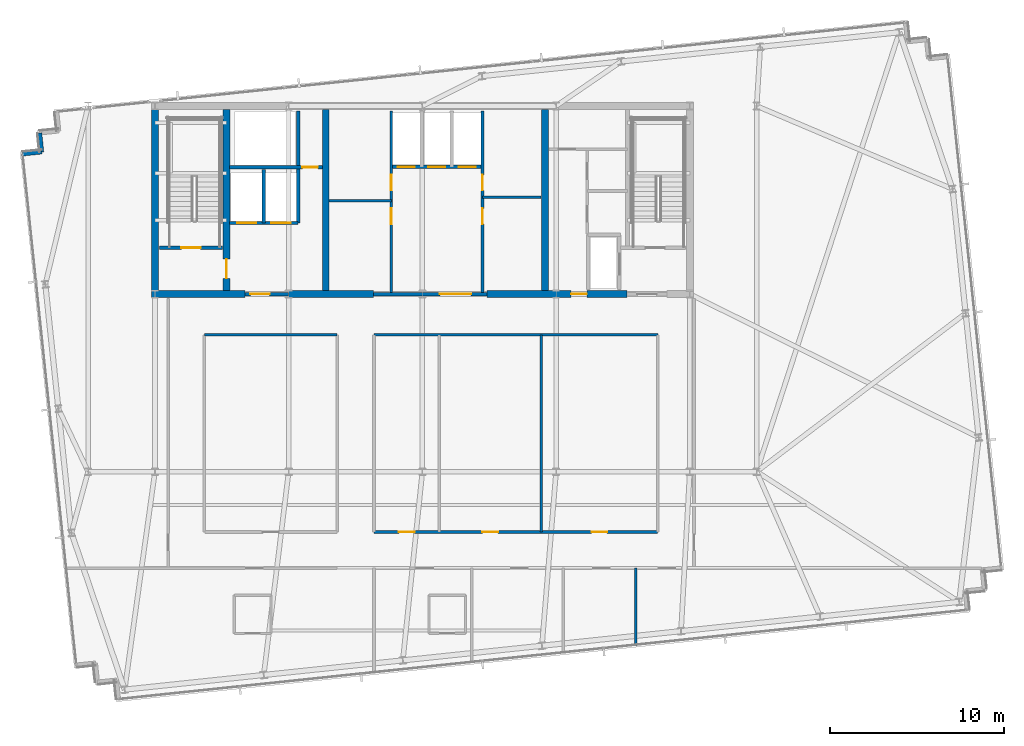
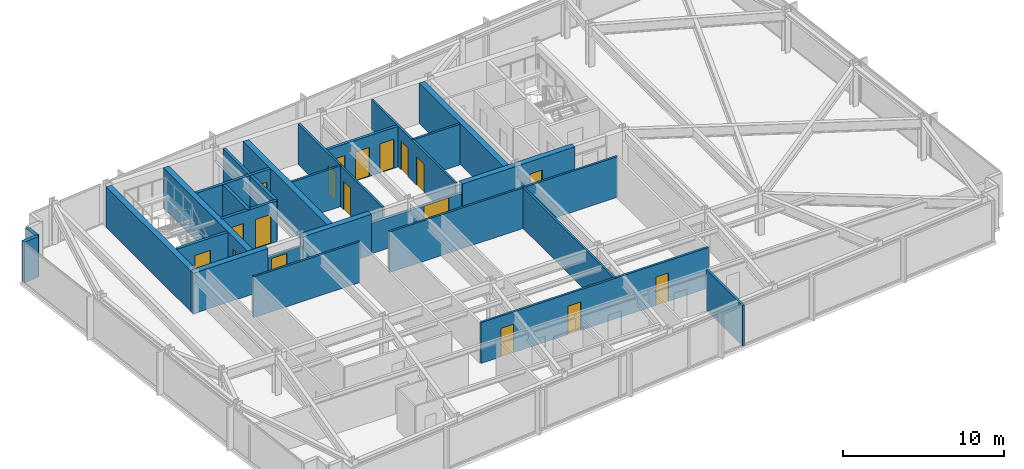
# One storey, part 27 of 32: 26 walls, 18 doors, 18 openings.
"""IFC4 building model written with IfcOpenShell, lengths in metres."""

import ifcopenshell
import ifcopenshell.guid

model = None  # the IFC model being written
_history = None  # IfcOwnerHistory: only IFC2X3 demands one
_inside = {}  # id of a spatial element -> (the spatial element, [elements in it])
_under = {}  # id of a project, library or spatial element -> (it, [spatial elements below it])
_declared = {}  # id of a project -> (the project, [libraries it declares])
_typed = {}  # id of a type object -> (the type object, [elements of that type])
_made_of = {}  # id of a material, layer set ... -> (it, [elements and type objects made of it])


def new_model(schema):
    """Start an empty IFC model of exactly this schema.

    Asked for "IFC4X3", IfcOpenShell would pick the latest addendum, in which some entities
    have other attributes; the version numbers below select the first issue.
    IFC2X3 requires an IfcOwnerHistory on every rooted entity: one is made here for all.
    """
    global model, _history
    if schema == "IFC4X3":
        model = ifcopenshell.file(schema_version=(4, 3, 0, 0))
    else:
        model = ifcopenshell.file(schema=schema)
    _inside.clear()
    _under.clear()
    _declared.clear()
    _typed.clear()
    _made_of.clear()
    _history = None
    if model.schema == "IFC2X3":
        org = make("IfcOrganization", Name="unknown")
        user = make(
            "IfcPersonAndOrganization",
            ThePerson=make("IfcPerson", FamilyName="unknown"),
            TheOrganization=org,
        )
        app = make(
            "IfcApplication",
            ApplicationDeveloper=org,
            Version="unknown",
            ApplicationFullName="unknown",
            ApplicationIdentifier="unknown",
        )
        _history = make(
            "IfcOwnerHistory",
            OwningUser=user,
            OwningApplication=app,
            ChangeAction="ADDED",
            CreationDate=0,
        )
    return model


def make(cls, **values):
    """One entity of the class cls with the attributes given. An attribute that is None is left unset."""
    return model.create_entity(
        cls, **{name: value for name, value in values.items() if value is not None}
    )


def rooted(cls, **values):
    """An entity with a GlobalId (a new one), such as an element, a storey or a relation."""
    return make(cls, GlobalId=ifcopenshell.guid.new(), OwnerHistory=_history, **values)


def si_unit(unit_type, name, prefix=None):
    """IfcSIUnit, for example si_unit("LENGTHUNIT", "METRE", prefix="MILLI")."""
    return make("IfcSIUnit", UnitType=unit_type, Prefix=prefix, Name=name)


def assignment(units):
    """IfcUnitAssignment: the units of a project."""
    return None if units is None else make("IfcUnitAssignment", Units=units)


def point(xyz):
    """IfcCartesianPoint."""
    return None if xyz is None else make("IfcCartesianPoint", Coordinates=xyz)


def direction(xyz):
    """IfcDirection."""
    return None if xyz is None else make("IfcDirection", DirectionRatios=xyz)


def frame(location, z_axis=None, x_axis=None):
    """IfcAxis2Placement3D, a coordinate frame: its origin and axes. An axis left out is left unset."""
    return make(
        "IfcAxis2Placement3D",
        Location=point(location),
        Axis=direction(z_axis),
        RefDirection=direction(x_axis),
    )


def frame_2d(location, x_axis=None):
    """IfcAxis2Placement2D, a coordinate frame in the plane: its origin and x axis."""
    return make(
        "IfcAxis2Placement2D", Location=point(location), RefDirection=direction(x_axis)
    )


def origin():
    """The frame at (0, 0, 0) with its axes left unset."""
    return frame((0.0, 0.0, 0.0))


def place(relative_to, where):
    """IfcLocalPlacement: puts the frame where relative to a parent placement (None: the world)."""
    return make(
        "IfcLocalPlacement", PlacementRelTo=relative_to, RelativePlacement=where
    )


def context(
    kind, dimensions, precision=None, world=None, true_north=None, identifier=None
):
    """IfcGeometricRepresentationContext, for example the 3D "Model" context."""
    return make(
        "IfcGeometricRepresentationContext",
        ContextIdentifier=identifier,
        ContextType=kind,
        CoordinateSpaceDimension=dimensions,
        Precision=precision,
        WorldCoordinateSystem=world,
        TrueNorth=true_north,
    )


def subcontext(parent, identifier, kind, view, scale=None):
    """IfcGeometricRepresentationSubContext, for example "Body" below "Model"."""
    return make(
        "IfcGeometricRepresentationSubContext",
        ContextIdentifier=identifier,
        ContextType=kind,
        ParentContext=parent,
        TargetScale=scale,
        TargetView=view,
    )


def project(units=None, contexts=None):
    """IfcProject with its units and contexts."""
    return rooted(
        "IfcProject",
        Name="project",
        RepresentationContexts=contexts,
        UnitsInContext=assignment(units),
    )


def spatial(cls, under=None, at=None, **own):
    """A site, building, storey or space (cls), placed at a placement, below another one or the project."""
    s = rooted(cls, ObjectPlacement=at, **own)
    if under is not None:
        _under.setdefault(under.id(), (under, []))[1].append(s)
    return s


def profile(cls, at=None, kind="AREA", **sizes):
    """A parametric profile (cls). Its sizes go by their IFC names, for example OverallWidth=200.0."""
    return make(cls, ProfileType=kind, Position=at, **sizes)


def rectangle(**sizes):
    """IfcRectangleProfileDef."""
    return profile("IfcRectangleProfileDef", **sizes)


def extrude(swept, where, along, depth):
    """IfcExtrudedAreaSolid: the profile swept, set in the frame where, extruded along a direction by depth."""
    return make(
        "IfcExtrudedAreaSolid",
        SweptArea=swept,
        Position=where,
        ExtrudedDirection=direction(along),
        Depth=depth,
    )


def shape(context_of_items, identifier, shape_type, items):
    """IfcShapeRepresentation: the items that make up one representation, for example the "Body"."""
    return make(
        "IfcShapeRepresentation",
        ContextOfItems=context_of_items,
        RepresentationIdentifier=identifier,
        RepresentationType=shape_type,
        Items=items,
    )


def material(Name=None, Category=None):
    """IfcMaterial."""
    return make("IfcMaterial", Name=Name, Category=Category)


def layer(
    of_material, thickness, ventilated=None, Name=None, Category=None, Priority=None
):
    """IfcMaterialLayer: one layer of a wall or slab, of a material (None: an air gap)."""
    return make(
        "IfcMaterialLayer",
        Material=of_material,
        LayerThickness=thickness,
        IsVentilated=ventilated,
        Name=Name,
        Category=Category,
        Priority=Priority,
    )


def layer_set(layers, Name=None):
    """IfcMaterialLayerSet."""
    return make("IfcMaterialLayerSet", MaterialLayers=layers, LayerSetName=Name)


def made_of(thing, what):
    """Note that an element or type object is made of a material, layer set ...; save() writes the relation."""
    if what is not None:
        _made_of.setdefault(what.id(), (what, []))[1].append(thing)
    return thing


def type_object(cls, material=None, **own):
    """A type object (cls), such as IfcWallType, which elements share."""
    return made_of(rooted(cls, **own), material)


def element(
    cls,
    number,
    at=None,
    inside=None,
    cuts=None,
    type_object=None,
    material=None,
    context=None,
    identifier="Body",
    shape_type=None,
    held_by="IfcProductDefinitionShape",
    body=None,
    shapes=None,
    **own,
):
    """One element of the class cls, such as IfcWall. Its Tag is "e" and its number.

    at: its placement. inside: the storey or other place that contains it. cuts: it is an
    opening in that element (IfcRelVoidsElement). A single representation is given by context,
    identifier, shape_type and body (its items); several are given by shapes. held_by: the class
    of the entity that holds the representations. save() writes the other relations.
    """
    e = rooted(cls, Tag="e%d" % number, ObjectPlacement=at, **own)
    if body is not None:
        shapes = [shape(context, identifier, shape_type, body)]
    if shapes is not None:
        e.Representation = make(held_by, Representations=shapes)
    if inside is not None:
        _inside.setdefault(inside.id(), (inside, []))[1].append(e)
    if cuts is not None:
        rooted(
            "IfcRelVoidsElement", RelatingBuildingElement=cuts, RelatedOpeningElement=e
        )
    if type_object is not None:
        _typed.setdefault(type_object.id(), (type_object, []))[1].append(e)
    return made_of(e, material)


def fill(opening, filler):
    """IfcRelFillsElement: the door or window that sits in an opening."""
    return rooted(
        "IfcRelFillsElement",
        RelatingOpeningElement=opening,
        RelatedBuildingElement=filler,
    )


def aggregate(whole, parts):
    """IfcRelAggregates: a whole, such as a stair, and the parts it consists of."""
    return rooted("IfcRelAggregates", RelatingObject=whole, RelatedObjects=parts)


def save(model, path):
    """Write the relations noted so far, then the file.

    IfcRelAggregates (storeys below a building ...), IfcRelContainedInSpatialStructure (elements
    in a storey), IfcRelDefinesByType, IfcRelAssociatesMaterial and IfcRelDeclares: one each for
    every whole, place, type object, material and project.
    """
    for whole, parts in _under.values():
        aggregate(whole, parts)
    for where, things in _inside.values():
        rooted(
            "IfcRelContainedInSpatialStructure",
            RelatedElements=things,
            RelatingStructure=where,
        )
    for kind, things in _typed.values():
        rooted("IfcRelDefinesByType", RelatedObjects=things, RelatingType=kind)
    for what, things in _made_of.values():
        rooted("IfcRelAssociatesMaterial", RelatedObjects=things, RelatingMaterial=what)
    for by, libraries in _declared.values():
        rooted("IfcRelDeclares", RelatingContext=by, RelatedDefinitions=libraries)
    model.write(path)


model = new_model("IFC4")

# Units and contexts
model_context = context("Model", 3, precision=1e-05, world=origin(), true_north=direction((0.0, 1.0)))
body_context = subcontext(model_context, "Body", "Model", "MODEL_VIEW")
ifc_project = project(units=[si_unit("LENGTHUNIT", "METRE"), si_unit("AREAUNIT", "SQUARE_METRE"), si_unit("VOLUMEUNIT", "CUBIC_METRE"), si_unit("PLANEANGLEUNIT", "RADIAN"), si_unit("MASSUNIT", "GRAM", prefix="KILO")], contexts=[model_context])

# Site, building, storey
site_placement = place(None, origin())
site = spatial("IfcSite", under=ifc_project, at=site_placement, CompositionType="ELEMENT")
building_placement = place(site_placement, origin())
building = spatial("IfcBuilding", under=site, at=building_placement, Name="Yelkora Congress Tower", CompositionType="ELEMENT")
storey_placement = place(building_placement, frame((0.0, 0.0, 217.699951171875)))
storey = spatial("IfcBuildingStorey", under=building, at=storey_placement, Name="L60", CompositionType="ELEMENT", Elevation=217.699951171875)

# Walls
ifc_material_1 = material(Name="Concrete C50/60", Category="concrete")
ifc_layer_1 = layer(ifc_material_1, 0.39990234375)
ifc_layer_set_1 = layer_set([ifc_layer_1], Name="Concrete C50/60")
wall_type_1 = type_object("IfcWallType", Name="WALL-CORE-INT-400", PredefinedType="SHEAR", material=ifc_layer_set_1)
wall_1_placement = place(storey_placement, frame((22.840087890625, 35.39990234375, 0.0), z_axis=(0.0, 0.0, 1.0), x_axis=(1.0, 0.0, 0.0)))
element("IfcWall", 1, at=wall_1_placement, inside=storey, type_object=wall_type_1, Name="L60 Rear Core South-West Shear Wall", PredefinedType="SHEAR", context=body_context, shape_type="SweptSolid", body=[
    extrude(rectangle(XDim=5.35986328125, YDim=0.39990234375, at=frame_2d((2.679931640625, 0.0))), origin(), (0.0, 0.0, 1.0), 3.080078125),
])
wall_2_placement = place(storey_placement, frame((30.719970703125, 35.39990234375, 0.0), z_axis=(0.0, 0.0, 1.0), x_axis=(1.0, 0.0, 0.0)))
element("IfcWall", 2, at=wall_2_placement, inside=storey, type_object=wall_type_1, Name="L60 Rear Core South-Center Shear Pier", PredefinedType="SHEAR", context=body_context, shape_type="SweptSolid", body=[
    extrude(rectangle(XDim=4.880126953125, YDim=0.39990234375, at=frame_2d((2.43994140625, 0.0))), origin(), (0.0, 0.0, 1.0), 3.080078125),
])

# Wall, opening, door
wall_3_placement = place(storey_placement, frame((42.10009765625, 35.39990234375, 0.0), z_axis=(0.0, 0.0, 1.0), x_axis=(1.0, 0.0, 0.0)))
wall_3 = element("IfcWall", 3, at=wall_3_placement, inside=storey, type_object=wall_type_1, Name="L60 Rear Core South-East Shear Wall A", PredefinedType="SHEAR", context=body_context, shape_type="SweptSolid", body=[
    extrude(rectangle(XDim=8.0498046875, YDim=0.39990234375, at=frame_2d((4.02490234375, 0.0))), origin(), (0.0, 0.0, 1.0), 3.080078125),
])
opening_1_placement = place(wall_3_placement, frame((4.85009765625, 0.0, 0.0)))
opening_1 = element("IfcOpeningElement", 4, at=opening_1_placement, cuts=wall_3, Name="Opening DR-090F6", PredefinedType="OPENING", context=body_context, shape_type="SweptSolid", body=[
    extrude(rectangle(XDim=0.89990234375, YDim=2.14990234375, at=frame_2d((0.449951171875, 1.074951171875))), frame((0.0, 0.2099609375, 0.0), z_axis=(0.0, -1.0, 0.0), x_axis=(1.0, 0.0, 0.0)), (0.0, 0.0, 1.0), 0.419921875),
])
ifc_material_2 = material(Name="Painted steel riser fire door leaf", Category="steel")
door_type_1 = type_object("IfcDoorType", Name="DOOR-FD60-900", OperationType="NOTDEFINED", PredefinedType="DOOR", material=ifc_material_2)
door_1_placement = place(opening_1_placement, origin())
door_1 = element("IfcDoor", 5, at=door_1_placement, inside=storey, type_object=door_type_1, Name="L60 Core Washroom Lobby Door", OperationType="SINGLE_SWING_RIGHT", OverallHeight=2.14990234375, OverallWidth=0.89990234375, PredefinedType="DOOR", context=body_context, shape_type="SweptSolid", body=[
    extrude(rectangle(XDim=0.89990234375, YDim=2.14990234375, at=frame_2d((0.449951171875, 1.074951171875))), frame((0.0, 0.02490234375, 0.0), z_axis=(0.0, -1.0, 0.0), x_axis=(1.0, 0.0, 0.0)), (0.0, 0.0, 1.0), 0.050048828125),
])
fill(opening_1, door_1)

# Wall
wall_4_placement = place(storey_placement, frame((23.0400390625, 35.60009765625, 0.0), z_axis=(0.0, 0.0, 1.0), x_axis=(0.0, 1.0, 0.0)))
element("IfcWall", 6, at=wall_4_placement, inside=storey, type_object=wall_type_1, Name="L60 Rear Core Cross Shear Wall W", PredefinedType="SHEAR", context=body_context, shape_type="SweptSolid", body=[
    extrude(rectangle(XDim=10.39990234375, YDim=0.39990234375, at=frame_2d((5.199951171875, 0.0))), origin(), (0.0, 0.0, 1.0), 3.080078125),
])

# Wall, opening, door
wall_5_placement = place(storey_placement, frame((27.14990234375, 35.60009765625, 0.0), z_axis=(0.0, 0.0, 1.0), x_axis=(0.0, 1.0, 0.0)))
wall_5 = element("IfcWall", 7, at=wall_5_placement, inside=storey, type_object=wall_type_1, Name="L60 Rear Core Cross Shear Wall C1", PredefinedType="SHEAR", context=body_context, shape_type="SweptSolid", body=[
    extrude(rectangle(XDim=10.39990234375, YDim=0.39990234375, at=frame_2d((5.199951171875, 0.0))), origin(), (0.0, 0.0, 1.0), 3.080078125),
])
opening_2_placement = place(wall_5_placement, frame((0.699951171875, 0.0, 0.0)))
opening_2 = element("IfcOpeningElement", 8, at=opening_2_placement, cuts=wall_5, Name="Opening DR-110F9", PredefinedType="OPENING", context=body_context, shape_type="SweptSolid", body=[
    extrude(rectangle(XDim=1.10009765625, YDim=2.14990234375, at=frame_2d((0.550048828125, 1.074951171875))), frame((0.0, 0.2099609375, 0.0), z_axis=(0.0, -1.0, 0.0), x_axis=(1.0, 0.0, 0.0)), (0.0, 0.0, 1.0), 0.419921875),
])
ifc_material_3 = material(Name="Galvanised steel fire door leaf", Category="steel")
door_type_2 = type_object("IfcDoorType", Name="DOOR-FD90-1100", OperationType="NOTDEFINED", PredefinedType="DOOR", material=ifc_material_3)
door_2_placement = place(opening_2_placement, origin())
door_2 = element("IfcDoor", 9, at=door_2_placement, inside=storey, type_object=door_type_2, Name="L60 Firefighting Stair Transfer Door", OperationType="SINGLE_SWING_LEFT", OverallHeight=2.14990234375, OverallWidth=1.10009765625, PredefinedType="DOOR", context=body_context, shape_type="SweptSolid", body=[
    extrude(rectangle(XDim=1.10009765625, YDim=2.14990234375, at=frame_2d((0.550048828125, 1.074951171875))), frame((0.0, 0.02490234375, 0.0), z_axis=(0.0, -1.0, 0.0), x_axis=(1.0, 0.0, 0.0)), (0.0, 0.0, 1.0), 0.050048828125),
])
fill(opening_2, door_2)

# Walls
for number, where, z_axis, x_axis, name in (
    (10, (32.85009765625, 35.60009765625, 0.0), (0.0, 0.0, 1.0), (0.0, 1.0, 0.0), "L60 Rear Core Cross Shear Wall C2"),
    (11, (45.449951171875, 35.60009765625, 0.0), (0.0, 0.0, 1.0), (0.0, 1.0, 0.0), "L60 Rear Core Cross Shear Wall C3"),
):
    element("IfcWall", number, at=place(storey_placement, frame(where, z_axis=z_axis, x_axis=x_axis)), inside=storey, type_object=wall_type_1, Name=name, PredefinedType="SHEAR", context=body_context, shape_type="SweptSolid", body=[
        extrude(rectangle(XDim=10.39990234375, YDim=0.39990234375, at=frame_2d((5.199951171875, 0.0))), origin(), (0.0, 0.0, 1.0), 3.080078125),
    ])
ifc_material_4 = material(Name="Concrete C40/50", Category="concrete")
ifc_layer_2 = layer(ifc_material_4, 0.239990234375)
ifc_layer_set_2 = layer_set([ifc_layer_2], Name="Concrete C40/50")
wall_type_2 = type_object("IfcWallType", Name="WALL-EXT-LIMESTONE-240", PredefinedType="SOLIDWALL", material=ifc_layer_set_2)
wall_6_placement = place(storey_placement, frame((15.441162109375, 43.444580078125, 0.0), z_axis=(0.0, 0.0, 1.0), x_axis=(0.994495717747, 0.104777227405, 0.0)))
element("IfcWall", 12, at=wall_6_placement, inside=storey, type_object=wall_type_2, Name="L60 Serrated Corner Limestone Pier 6", PredefinedType="SOLIDWALL", context=body_context, shape_type="SweptSolid", body=[
    extrude(rectangle(XDim=1.099853515625, YDim=0.239990234375, at=frame_2d((0.5498046875, 0.0))), origin(), (0.0, 0.0, 1.0), 3.080078125),
])
wall_7_placement = place(storey_placement, frame((16.534912109375, 43.559814453125, 0.0), z_axis=(0.0, 0.0, 1.0), x_axis=(-0.104315068386, 0.994544300928, 0.0)))
element("IfcWall", 13, at=wall_7_placement, inside=storey, type_object=wall_type_2, Name="L60 Serrated Corner Limestone Pier 7", PredefinedType="SOLIDWALL", context=body_context, shape_type="SweptSolid", body=[
    extrude(rectangle(XDim=1.10009765625, YDim=0.239990234375, at=frame_2d((0.550048828125, 0.0))), origin(), (0.0, 0.0, 1.0), 3.080078125),
])
ifc_material_5 = material(Name="Acoustic metal-stud gypsum partition", Category="gypsum")
ifc_layer_3 = layer(ifc_material_5, 0.14990234375)
ifc_layer_set_3 = layer_set([ifc_layer_3], Name="Acoustic metal-stud gypsum partition")
wall_type_3 = type_object("IfcWallType", Name="WALL-INT-150-NR", PredefinedType="PARTITIONING", material=ifc_layer_set_3)
wall_8_placement = place(storey_placement, frame((25.8798828125, 33.050048828125, 0.0), z_axis=(0.0, 0.0, 1.0), x_axis=(1.0, 0.0, 0.0)))
element("IfcWall", 14, at=wall_8_placement, inside=storey, type_object=wall_type_3, Name="L60 Partition Wall 43", PredefinedType="PARTITIONING", context=body_context, shape_type="SweptSolid", body=[
    extrude(rectangle(XDim=7.6201171875, YDim=0.14990234375, at=frame_2d((3.81005859375, 0.0))), origin(), (0.0, 0.0, 1.0), 3.080078125),
])
wall_9_placement = place(storey_placement, frame((35.6201171875, 33.050048828125, 0.0), z_axis=(0.0, 0.0, 1.0), x_axis=(1.0, 0.0, 0.0)))
element("IfcWall", 15, at=wall_9_placement, inside=storey, type_object=wall_type_3, Name="L60 Partition Wall 44", PredefinedType="PARTITIONING", context=body_context, shape_type="SweptSolid", body=[
    extrude(rectangle(XDim=16.2998046875, YDim=0.14990234375, at=frame_2d((8.14990234375, 0.0))), origin(), (0.0, 0.0, 1.0), 3.080078125),
])
wall_10_placement = place(storey_placement, frame((45.22900390625, 21.72998046875, 0.0), z_axis=(0.0, 0.0, 1.0), x_axis=(0.0, 1.0, 0.0)))
element("IfcWall", 16, at=wall_10_placement, inside=storey, type_object=wall_type_3, Name="L60 Partition Wall 47", PredefinedType="PARTITIONING", context=body_context, shape_type="SweptSolid", body=[
    extrude(rectangle(XDim=11.320068359375, YDim=0.14990234375, at=frame_2d((5.66015625, 0.0))), origin(), (0.0, 0.0, 1.0), 3.080078125),
])

# Wall, openings, doors
wall_11_placement = place(storey_placement, frame((35.6298828125, 21.72998046875, 0.0), z_axis=(0.0, 0.0, 1.0), x_axis=(1.0, 0.0, 0.0)))
wall_11 = element("IfcWall", 17, at=wall_11_placement, inside=storey, type_object=wall_type_3, Name="L60 Partition Wall 48", PredefinedType="PARTITIONING", context=body_context, shape_type="SweptSolid", body=[
    extrude(rectangle(XDim=16.27001953125, YDim=0.14990234375, at=frame_2d((8.135009765625, 0.0))), origin(), (0.0, 0.0, 1.0), 3.080078125),
])
opening_3_placement = place(wall_11_placement, frame((1.4208984375, 0.0, 0.0)))
opening_3 = element("IfcOpeningElement", 18, at=opening_3_placement, cuts=wall_11, Name="Opening DR-090N", PredefinedType="OPENING", context=body_context, shape_type="SweptSolid", body=[
    extrude(rectangle(XDim=0.89990234375, YDim=2.14990234375, at=frame_2d((0.449951171875, 1.074951171875))), frame((0.0, 0.0849609375, 0.0), z_axis=(0.0, -1.0, 0.0), x_axis=(1.0, 0.0, 0.0)), (0.0, 0.0, 1.0), 0.169921875),
])
opening_4_placement = place(wall_11_placement, frame((6.220458984375, 0.0, 0.0)))
opening_4 = element("IfcOpeningElement", 19, at=opening_4_placement, cuts=wall_11, Name="Opening DR-090N", PredefinedType="OPENING", context=body_context, shape_type="SweptSolid", body=[
    extrude(rectangle(XDim=0.89990234375, YDim=2.14990234375, at=frame_2d((0.449951171875, 1.074951171875))), frame((0.0, 0.0849609375, 0.0), z_axis=(0.0, -1.0, 0.0), x_axis=(1.0, 0.0, 0.0)), (0.0, 0.0, 1.0), 0.169921875),
])
opening_5_placement = place(wall_11_placement, frame((12.484619140625, 0.0, 0.0)))
opening_5 = element("IfcOpeningElement", 20, at=opening_5_placement, cuts=wall_11, Name="Opening DR-090N", PredefinedType="OPENING", context=body_context, shape_type="SweptSolid", body=[
    extrude(rectangle(XDim=0.89990234375, YDim=2.14990234375, at=frame_2d((0.449951171875, 1.074951171875))), frame((0.0, 0.0849609375, 0.0), z_axis=(0.0, -1.0, 0.0), x_axis=(1.0, 0.0, 0.0)), (0.0, 0.0, 1.0), 0.169921875),
])
ifc_material_6 = material(Name="Moisture-resistant laminate door leaf", Category="wood")
door_type_3 = type_object("IfcDoorType", Name="DOOR-INT-900", OperationType="NOTDEFINED", PredefinedType="DOOR", material=ifc_material_6)
door_3_placement = place(opening_3_placement, origin())
door_3 = element("IfcDoor", 21, at=door_3_placement, inside=storey, type_object=door_type_3, Name="L60 Diplomatic Day Lounge Door", OperationType="SINGLE_SWING_RIGHT", OverallHeight=2.14990234375, OverallWidth=0.89990234375, PredefinedType="DOOR", context=body_context, shape_type="SweptSolid", body=[
    extrude(rectangle(XDim=0.89990234375, YDim=2.14990234375, at=frame_2d((0.449951171875, 1.074951171875))), frame((0.0, 0.02490234375, 0.0), z_axis=(0.0, -1.0, 0.0), x_axis=(1.0, 0.0, 0.0)), (0.0, 0.0, 1.0), 0.050048828125),
])
fill(opening_3, door_3)
door_4_placement = place(opening_4_placement, origin())
door_4 = element("IfcDoor", 22, at=door_4_placement, inside=storey, type_object=door_type_3, Name="L60 First-Aid Treatment Room Door", OperationType="SINGLE_SWING_LEFT", OverallHeight=2.14990234375, OverallWidth=0.89990234375, PredefinedType="DOOR", context=body_context, shape_type="SweptSolid", body=[
    extrude(rectangle(XDim=0.89990234375, YDim=2.14990234375, at=frame_2d((0.449951171875, 1.074951171875))), frame((0.0, 0.02490234375, 0.0), z_axis=(0.0, -1.0, 0.0), x_axis=(1.0, 0.0, 0.0)), (0.0, 0.0, 1.0), 0.050048828125),
])
fill(opening_4, door_4)
door_5_placement = place(opening_5_placement, origin())
door_5 = element("IfcDoor", 23, at=door_5_placement, inside=storey, type_object=door_type_3, Name="L60 Wellness Consult Room Door", OperationType="SINGLE_SWING_RIGHT", OverallHeight=2.14990234375, OverallWidth=0.89990234375, PredefinedType="DOOR", context=body_context, shape_type="SweptSolid", body=[
    extrude(rectangle(XDim=0.89990234375, YDim=2.14990234375, at=frame_2d((0.449951171875, 1.074951171875))), frame((0.0, 0.02490234375, 0.0), z_axis=(0.0, -1.0, 0.0), x_axis=(1.0, 0.0, 0.0)), (0.0, 0.0, 1.0), 0.050048828125),
])
fill(opening_5, door_5)

# Wall
ifc_material_7 = material(Name="Twin-stud fire-rated gypsum partition", Category="gypsum")
ifc_layer_4 = layer(ifc_material_7, 0.14990234375)
ifc_layer_set_4 = layer_set([ifc_layer_4], Name="Twin-stud fire-rated gypsum partition")
wall_type_4 = type_object("IfcWallType", Name="WALL-INT-150-R60", PredefinedType="PARTITIONING", material=ifc_layer_set_4)
wall_12_placement = place(storey_placement, frame((33.050048828125, 40.75, 0.0), z_axis=(0.0, 0.0, 1.0), x_axis=(1.0, 0.0, 0.0)))
element("IfcWall", 24, at=wall_12_placement, inside=storey, type_object=wall_type_4, Name="L60 Partition Wall 11", PredefinedType="PARTITIONING", context=body_context, shape_type="SweptSolid", body=[
    extrude(rectangle(XDim=3.570068359375, YDim=0.14990234375, at=frame_2d((1.78515625, 0.0))), origin(), (0.0, 0.0, 1.0), 3.080078125),
])

# Wall, openings, doors
wall_13_placement = place(storey_placement, frame((36.6201171875, 35.5, 0.0), z_axis=(0.0, 0.0, 1.0), x_axis=(0.0, 1.0, 0.0)))
wall_13 = element("IfcWall", 25, at=wall_13_placement, inside=storey, type_object=wall_type_4, Name="L60 Partition Wall 12", PredefinedType="PARTITIONING", context=body_context, shape_type="SweptSolid", body=[
    extrude(rectangle(XDim=10.419921875, YDim=0.14990234375, at=frame_2d((5.2099609375, 0.0))), origin(), (0.0, 0.0, 1.0), 3.080078125),
])
opening_6_placement = place(wall_13_placement, frame((3.919921875, 0.0, 0.0)))
opening_6 = element("IfcOpeningElement", 26, at=opening_6_placement, cuts=wall_13, Name="Opening DR-090F6", PredefinedType="OPENING", context=body_context, shape_type="SweptSolid", body=[
    extrude(rectangle(XDim=0.89990234375, YDim=2.14990234375, at=frame_2d((0.449951171875, 1.074951171875))), frame((0.0, 0.0849609375, 0.0), z_axis=(0.0, -1.0, 0.0), x_axis=(1.0, 0.0, 0.0)), (0.0, 0.0, 1.0), 0.169921875),
])
opening_7_placement = place(wall_13_placement, frame((5.85009765625, 0.0, 0.0)))
opening_7 = element("IfcOpeningElement", 27, at=opening_7_placement, cuts=wall_13, Name="Opening DR-090F6", PredefinedType="OPENING", context=body_context, shape_type="SweptSolid", body=[
    extrude(rectangle(XDim=0.89990234375, YDim=2.14990234375, at=frame_2d((0.449951171875, 1.074951171875))), frame((0.0, 0.0849609375, 0.0), z_axis=(0.0, -1.0, 0.0), x_axis=(1.0, 0.0, 0.0)), (0.0, 0.0, 1.0), 0.169921875),
])
door_6_placement = place(opening_6_placement, origin())
door_6 = element("IfcDoor", 28, at=door_6_placement, inside=storey, type_object=door_type_1, Name="L60 Telecom Store Door", OperationType="SINGLE_SWING_RIGHT", OverallHeight=2.14990234375, OverallWidth=0.89990234375, PredefinedType="DOOR", context=body_context, shape_type="SweptSolid", body=[
    extrude(rectangle(XDim=0.89990234375, YDim=2.14990234375, at=frame_2d((0.449951171875, 1.074951171875))), frame((0.0, 0.02490234375, 0.0), z_axis=(0.0, -1.0, 0.0), x_axis=(1.0, 0.0, 0.0)), (0.0, 0.0, 1.0), 0.050048828125),
])
fill(opening_6, door_6)
door_7_placement = place(opening_7_placement, origin())
door_7 = element("IfcDoor", 29, at=door_7_placement, inside=storey, type_object=door_type_1, Name="L60 Archive Store Door", OperationType="SINGLE_SWING_LEFT", OverallHeight=2.14990234375, OverallWidth=0.89990234375, PredefinedType="DOOR", context=body_context, shape_type="SweptSolid", body=[
    extrude(rectangle(XDim=0.89990234375, YDim=2.14990234375, at=frame_2d((0.449951171875, 1.074951171875))), frame((0.0, 0.02490234375, 0.0), z_axis=(0.0, -1.0, 0.0), x_axis=(1.0, 0.0, 0.0)), (0.0, 0.0, 1.0), 0.050048828125),
])
fill(opening_7, door_7)

# Wall
wall_14_placement = place(storey_placement, frame((41.85009765625, 40.949951171875, 0.0), z_axis=(0.0, 0.0, 1.0), x_axis=(1.0, 0.0, 0.0)))
element("IfcWall", 30, at=wall_14_placement, inside=storey, type_object=wall_type_4, Name="L60 Partition Wall 13", PredefinedType="PARTITIONING", context=body_context, shape_type="SweptSolid", body=[
    extrude(rectangle(XDim=3.369873046875, YDim=0.14990234375, at=frame_2d((1.68505859375, 0.0))), origin(), (0.0, 0.0, 1.0), 3.080078125),
])

# Wall, openings, doors
wall_15_placement = place(storey_placement, frame((41.85009765625, 35.5, 0.0), z_axis=(0.0, 0.0, 1.0), x_axis=(0.0, 1.0, 0.0)))
wall_15 = element("IfcWall", 31, at=wall_15_placement, inside=storey, type_object=wall_type_4, Name="L60 Partition Wall 14", PredefinedType="PARTITIONING", context=body_context, shape_type="SweptSolid", body=[
    extrude(rectangle(XDim=10.419921875, YDim=0.14990234375, at=frame_2d((5.2099609375, 0.0))), origin(), (0.0, 0.0, 1.0), 3.080078125),
])
opening_8_placement = place(wall_15_placement, frame((3.919921875, 0.0, 0.0)))
opening_8 = element("IfcOpeningElement", 32, at=opening_8_placement, cuts=wall_15, Name="Opening DR-090F6", PredefinedType="OPENING", context=body_context, shape_type="SweptSolid", body=[
    extrude(rectangle(XDim=0.89990234375, YDim=2.14990234375, at=frame_2d((0.449951171875, 1.074951171875))), frame((0.0, 0.0849609375, 0.0), z_axis=(0.0, -1.0, 0.0), x_axis=(1.0, 0.0, 0.0)), (0.0, 0.0, 1.0), 0.169921875),
])
opening_9_placement = place(wall_15_placement, frame((5.85009765625, 0.0, 0.0)))
opening_9 = element("IfcOpeningElement", 33, at=opening_9_placement, cuts=wall_15, Name="Opening DR-090F6", PredefinedType="OPENING", context=body_context, shape_type="SweptSolid", body=[
    extrude(rectangle(XDim=0.89990234375, YDim=2.14990234375, at=frame_2d((0.449951171875, 1.074951171875))), frame((0.0, 0.0849609375, 0.0), z_axis=(0.0, -1.0, 0.0), x_axis=(1.0, 0.0, 0.0)), (0.0, 0.0, 1.0), 0.169921875),
])
door_8_placement = place(opening_8_placement, origin())
door_8 = element("IfcDoor", 34, at=door_8_placement, inside=storey, type_object=door_type_1, Name="L60 High-Zone BMS Door", OperationType="SINGLE_SWING_RIGHT", OverallHeight=2.14990234375, OverallWidth=0.89990234375, PredefinedType="DOOR", context=body_context, shape_type="SweptSolid", body=[
    extrude(rectangle(XDim=0.89990234375, YDim=2.14990234375, at=frame_2d((0.449951171875, 1.074951171875))), frame((0.0, 0.02490234375, 0.0), z_axis=(0.0, -1.0, 0.0), x_axis=(1.0, 0.0, 0.0)), (0.0, 0.0, 1.0), 0.050048828125),
])
fill(opening_8, door_8)
door_9_placement = place(opening_9_placement, origin())
door_9 = element("IfcDoor", 35, at=door_9_placement, inside=storey, type_object=door_type_1, Name="L60 Linen Store Door", OperationType="SINGLE_SWING_LEFT", OverallHeight=2.14990234375, OverallWidth=0.89990234375, PredefinedType="DOOR", context=body_context, shape_type="SweptSolid", body=[
    extrude(rectangle(XDim=0.89990234375, YDim=2.14990234375, at=frame_2d((0.449951171875, 1.074951171875))), frame((0.0, 0.02490234375, 0.0), z_axis=(0.0, -1.0, 0.0), x_axis=(1.0, 0.0, 0.0)), (0.0, 0.0, 1.0), 0.050048828125),
])
fill(opening_9, door_9)

# Wall
wall_16_placement = place(storey_placement, frame((50.64892578125, 15.190185546875, 0.0), z_axis=(0.0, 0.0, 1.0), x_axis=(0.0, 1.0, 0.0)))
element("IfcWall", 36, at=wall_16_placement, inside=storey, type_object=wall_type_4, Name="L60 Partition Wall 34", PredefinedType="PARTITIONING", context=body_context, shape_type="SweptSolid", body=[
    extrude(rectangle(XDim=4.479736328125, YDim=0.14990234375, at=frame_2d((2.23974609375, 0.0))), origin(), (0.0, 0.0, 1.0), 3.080078125),
])

# Wall, opening, door
ifc_material_8 = material(Name="Autoclaved aerated concrete blockwork", Category="masonry")
ifc_layer_5 = layer(ifc_material_8, 0.199951171875)
ifc_layer_set_5 = layer_set([ifc_layer_5], Name="Autoclaved aerated concrete blockwork")
wall_type_5 = type_object("IfcWallType", Name="WALL-INT-200-R120", PredefinedType="PARTITIONING", material=ifc_layer_set_5)
wall_17_placement = place(storey_placement, frame((23.300048828125, 38.050048828125, 0.0), z_axis=(0.0, 0.0, 1.0), x_axis=(1.0, 0.0, 0.0)))
wall_17 = element("IfcWall", 37, at=wall_17_placement, inside=storey, type_object=wall_type_5, Name="L60 Stair ST-01 Enclosure Wall", PredefinedType="PARTITIONING", context=body_context, shape_type="SweptSolid", body=[
    extrude(rectangle(XDim=3.619873046875, YDim=0.199951171875, at=frame_2d((1.81005859375, 0.0))), origin(), (0.0, 0.0, 1.0), 3.080078125),
])
opening_10_placement = place(wall_17_placement, frame((1.260009765625, 0.0, 0.0)))
opening_10 = element("IfcOpeningElement", 38, at=opening_10_placement, cuts=wall_17, Name="Opening DR-110F9", PredefinedType="OPENING", context=body_context, shape_type="SweptSolid", body=[
    extrude(rectangle(XDim=1.10009765625, YDim=2.14990234375, at=frame_2d((0.550048828125, 1.074951171875))), frame((0.0, 0.10986328125, 0.0), z_axis=(0.0, -1.0, 0.0), x_axis=(1.0, 0.0, 0.0)), (0.0, 0.0, 1.0), 0.219970703125),
])
door_10_placement = place(opening_10_placement, origin())
door_10 = element("IfcDoor", 39, at=door_10_placement, inside=storey, type_object=door_type_2, Name="L60 Stair ST-01 Entry Door", OperationType="SINGLE_SWING_LEFT", OverallHeight=2.14990234375, OverallWidth=1.10009765625, PredefinedType="DOOR", context=body_context, shape_type="SweptSolid", body=[
    extrude(rectangle(XDim=1.10009765625, YDim=2.14990234375, at=frame_2d((0.550048828125, 1.074951171875))), frame((0.0, 0.02490234375, 0.0), z_axis=(0.0, -1.0, 0.0), x_axis=(1.0, 0.0, 0.0)), (0.0, 0.0, 1.0), 0.050048828125),
])
fill(opening_10, door_10)

wall_18_placement = place(storey_placement, frame((28.219970703125, 35.39990234375, 0.0), z_axis=(0.0, 0.0, 1.0), x_axis=(1.0, 0.0, 0.0)))
wall_18 = element("IfcWall", 40, at=wall_18_placement, inside=storey, type_object=wall_type_5, Name="L60 Firefighting Lobby South Wall", PredefinedType="PARTITIONING", context=body_context, shape_type="SweptSolid", body=[
    extrude(rectangle(XDim=2.5, YDim=0.199951171875, at=frame_2d((1.25, 0.0))), origin(), (0.0, 0.0, 1.0), 2.31298828125),
])
opening_11_placement = place(wall_18_placement, frame((0.300048828125, 0.0, 0.0)))
opening_11 = element("IfcOpeningElement", 41, at=opening_11_placement, cuts=wall_18, Name="Opening DR-110F9", PredefinedType="OPENING", context=body_context, shape_type="SweptSolid", body=[
    extrude(rectangle(XDim=1.10009765625, YDim=2.14990234375, at=frame_2d((0.550048828125, 1.074951171875))), frame((0.0, 0.10986328125, 0.0), z_axis=(0.0, -1.0, 0.0), x_axis=(1.0, 0.0, 0.0)), (0.0, 0.0, 1.0), 0.219970703125),
])
door_11_placement = place(opening_11_placement, origin())
door_11 = element("IfcDoor", 42, at=door_11_placement, inside=storey, type_object=door_type_2, Name="L60 Firefighting Lobby Corridor Door", OperationType="SINGLE_SWING_RIGHT", OverallHeight=2.14990234375, OverallWidth=1.10009765625, PredefinedType="DOOR", context=body_context, shape_type="SweptSolid", body=[
    extrude(rectangle(XDim=1.10009765625, YDim=2.14990234375, at=frame_2d((0.550048828125, 1.074951171875))), frame((0.0, 0.02490234375, 0.0), z_axis=(0.0, -1.0, 0.0), x_axis=(1.0, 0.0, 0.0)), (0.0, 0.0, 1.0), 0.050048828125),
])
fill(opening_11, door_11)

# Wall, openings, doors
wall_19_placement = place(storey_placement, frame((27.320068359375, 39.47998046875, 0.0), z_axis=(0.0, 0.0, 1.0), x_axis=(1.0, 0.0, 0.0)))
wall_19 = element("IfcWall", 43, at=wall_19_placement, inside=storey, type_object=wall_type_5, Name="L60 Firefighting Lift Front Wall", PredefinedType="PARTITIONING", context=body_context, shape_type="SweptSolid", body=[
    extrude(rectangle(XDim=3.93994140625, YDim=0.199951171875, at=frame_2d((1.969970703125, 0.0))), origin(), (0.0, 0.0, 1.0), 3.080078125),
])
opening_12_placement = place(wall_19_placement, frame((0.449951171875, 0.0, 0.0)))
opening_12 = element("IfcOpeningElement", 44, at=opening_12_placement, cuts=wall_19, Name="Opening LD-FF11", PredefinedType="OPENING", context=body_context, shape_type="SweptSolid", body=[
    extrude(rectangle(XDim=1.10009765625, YDim=2.199951171875, at=frame_2d((0.550048828125, 1.10009765625))), frame((0.0, 0.10986328125, 0.0), z_axis=(0.0, -1.0, 0.0), x_axis=(1.0, 0.0, 0.0)), (0.0, 0.0, 1.0), 0.219970703125),
])
opening_13_placement = place(wall_19_placement, frame((2.409912109375, 0.0, 0.0)))
opening_13 = element("IfcOpeningElement", 45, at=opening_13_placement, cuts=wall_19, Name="Opening LD-FF11", PredefinedType="OPENING", context=body_context, shape_type="SweptSolid", body=[
    extrude(rectangle(XDim=1.10009765625, YDim=2.199951171875, at=frame_2d((0.550048828125, 1.10009765625))), frame((0.0, 0.10986328125, 0.0), z_axis=(0.0, -1.0, 0.0), x_axis=(1.0, 0.0, 0.0)), (0.0, 0.0, 1.0), 0.219970703125),
])
ifc_material_9 = material(Name="Brushed stainless steel 316L landing door", Category="steel")
door_type_4 = type_object("IfcDoorType", Name="DOOR-LIFT-FF-1100", OperationType="DOUBLE_DOOR_SLIDING", PredefinedType="DOOR", material=ifc_material_9)
door_12_placement = place(opening_12_placement, origin())
door_12 = element("IfcDoor", 46, at=door_12_placement, inside=storey, type_object=door_type_4, Name="Lift Landing Door LF-FF1 L60", OperationType="DOUBLE_DOOR_SLIDING", OverallHeight=2.199951171875, OverallWidth=1.10009765625, PredefinedType="DOOR", context=body_context, shape_type="SweptSolid", body=[
    extrude(rectangle(XDim=1.10009765625, YDim=2.199951171875, at=frame_2d((0.550048828125, 1.10009765625))), frame((0.0, 0.02490234375, 0.0), z_axis=(0.0, -1.0, 0.0), x_axis=(1.0, 0.0, 0.0)), (0.0, 0.0, 1.0), 0.050048828125),
])
fill(opening_12, door_12)
door_13_placement = place(opening_13_placement, origin())
door_13 = element("IfcDoor", 47, at=door_13_placement, inside=storey, type_object=door_type_4, Name="Lift Landing Door LF-FF2 L60", OperationType="DOUBLE_DOOR_SLIDING", OverallHeight=2.199951171875, OverallWidth=1.10009765625, PredefinedType="DOOR", context=body_context, shape_type="SweptSolid", body=[
    extrude(rectangle(XDim=1.10009765625, YDim=2.199951171875, at=frame_2d((0.550048828125, 1.10009765625))), frame((0.0, 0.02490234375, 0.0), z_axis=(0.0, -1.0, 0.0), x_axis=(1.0, 0.0, 0.0)), (0.0, 0.0, 1.0), 0.050048828125),
])
fill(opening_13, door_13)

# Walls
wall_20_placement = place(storey_placement, frame((29.300048828125, 39.47998046875, 0.0), z_axis=(0.0, 0.0, 1.0), x_axis=(0.0, 1.0, 0.0)))
element("IfcWall", 48, at=wall_20_placement, inside=storey, type_object=wall_type_5, Name="L60 Partition Wall 4", PredefinedType="PARTITIONING", context=body_context, shape_type="SweptSolid", body=[
    extrude(rectangle(XDim=3.070068359375, YDim=0.199951171875, at=frame_2d((1.53515625, 0.0))), origin(), (0.0, 0.0, 1.0), 3.080078125),
])
wall_21_placement = place(storey_placement, frame((31.260009765625, 39.47998046875, 0.0), z_axis=(0.0, 0.0, 1.0), x_axis=(0.0, 1.0, 0.0)))
element("IfcWall", 49, at=wall_21_placement, inside=storey, type_object=wall_type_5, Name="L60 Partition Wall 5", PredefinedType="PARTITIONING", context=body_context, shape_type="SweptSolid", body=[
    extrude(rectangle(XDim=6.43994140625, YDim=0.199951171875, at=frame_2d((3.219970703125, 0.0))), origin(), (0.0, 0.0, 1.0), 3.080078125),
])

# Wall, opening, door
wall_22_placement = place(storey_placement, frame((27.320068359375, 42.679931640625, 0.0), z_axis=(0.0, 0.0, 1.0), x_axis=(1.0, 0.0, 0.0)))
wall_22 = element("IfcWall", 50, at=wall_22_placement, inside=storey, type_object=wall_type_5, Name="L60 Smoke Riser South Wall", PredefinedType="PARTITIONING", context=body_context, shape_type="SweptSolid", body=[
    extrude(rectangle(XDim=5.329833984375, YDim=0.199951171875, at=frame_2d((2.6650390625, 0.0))), origin(), (0.0, 0.0, 1.0), 3.080078125),
])
opening_14_placement = place(wall_22_placement, frame((4.179931640625, 0.0, 0.0)))
opening_14 = element("IfcOpeningElement", 51, at=opening_14_placement, cuts=wall_22, Name="Opening DR-090F6", PredefinedType="OPENING", context=body_context, shape_type="SweptSolid", body=[
    extrude(rectangle(XDim=0.89990234375, YDim=2.14990234375, at=frame_2d((0.449951171875, 1.074951171875))), frame((0.0, 0.10986328125, 0.0), z_axis=(0.0, -1.0, 0.0), x_axis=(1.0, 0.0, 0.0)), (0.0, 0.0, 1.0), 0.219970703125),
])
door_14_placement = place(opening_14_placement, origin())
door_14 = element("IfcDoor", 52, at=door_14_placement, inside=storey, type_object=door_type_1, Name="L60 Riser Access Door", OperationType="SINGLE_SWING_LEFT", OverallHeight=2.14990234375, OverallWidth=0.89990234375, PredefinedType="DOOR", context=body_context, shape_type="SweptSolid", body=[
    extrude(rectangle(XDim=0.89990234375, YDim=2.14990234375, at=frame_2d((0.449951171875, 1.074951171875))), frame((0.0, 0.02490234375, 0.0), z_axis=(0.0, -1.0, 0.0), x_axis=(1.0, 0.0, 0.0)), (0.0, 0.0, 1.0), 0.050048828125),
])
fill(opening_14, door_14)

wall_23_placement = place(storey_placement, frame((35.60009765625, 35.39990234375, 0.0), z_axis=(0.0, 0.0, 1.0), x_axis=(1.0, 0.0, 0.0)))
wall_23 = element("IfcWall", 53, at=wall_23_placement, inside=storey, type_object=wall_type_5, Name="L60 Main Lift Lobby South Portal Wall", PredefinedType="PARTITIONING", context=body_context, shape_type="SweptSolid", body=[
    extrude(rectangle(XDim=6.5, YDim=0.199951171875, at=frame_2d((3.25, 0.0))), origin(), (0.0, 0.0, 1.0), 2.31298828125),
])
opening_15_placement = place(wall_23_placement, frame((3.800048828125, 0.0, 0.0)))
opening_15 = element("IfcOpeningElement", 54, at=opening_15_placement, cuts=wall_23, Name="Opening DR-180D", PredefinedType="OPENING", context=body_context, shape_type="SweptSolid", body=[
    extrude(rectangle(XDim=1.800048828125, YDim=2.300048828125, at=frame_2d((0.89990234375, 1.14990234375))), frame((0.0, 0.10986328125, 0.0), z_axis=(0.0, -1.0, 0.0), x_axis=(1.0, 0.0, 0.0)), (0.0, 0.0, 1.0), 0.219970703125),
])
ifc_material_10 = material(Name="Acoustic double congress hall doors", Category="wood")
door_type_5 = type_object("IfcDoorType", Name="DOOR-DBL-1800", OperationType="DOUBLE_DOOR_SINGLE_SWING", PredefinedType="DOOR", material=ifc_material_10)
door_15_placement = place(opening_15_placement, origin())
door_15 = element("IfcDoor", 55, at=door_15_placement, inside=storey, type_object=door_type_5, Name="L60 Main Lift Lobby Portal Door", OperationType="DOUBLE_DOOR_SINGLE_SWING", OverallHeight=2.300048828125, OverallWidth=1.800048828125, PredefinedType="DOOR", context=body_context, shape_type="SweptSolid", body=[
    extrude(rectangle(XDim=1.800048828125, YDim=2.300048828125, at=frame_2d((0.89990234375, 1.14990234375))), frame((0.0, 0.02490234375, 0.0), z_axis=(0.0, -1.0, 0.0), x_axis=(1.0, 0.0, 0.0)), (0.0, 0.0, 1.0), 0.050048828125),
])
fill(opening_15, door_15)

# Wall, openings, doors
wall_24_placement = place(storey_placement, frame((36.60009765625, 42.699951171875, 0.0), z_axis=(0.0, 0.0, 1.0), x_axis=(1.0, 0.0, 0.0)))
wall_24 = element("IfcWall", 56, at=wall_24_placement, inside=storey, type_object=wall_type_5, Name="L60 Partition Wall 8", PredefinedType="PARTITIONING", context=body_context, shape_type="SweptSolid", body=[
    extrude(rectangle(XDim=5.25, YDim=0.199951171875, at=frame_2d((2.625, 0.0))), origin(), (0.0, 0.0, 1.0), 3.080078125),
])
opening_16_placement = place(wall_24_placement, frame((0.375, 0.0, 0.0)))
opening_16 = element("IfcOpeningElement", 57, at=opening_16_placement, cuts=wall_24, Name="Opening LD-PS10", PredefinedType="OPENING", context=body_context, shape_type="SweptSolid", body=[
    extrude(rectangle(XDim=1.0, YDim=2.199951171875, at=frame_2d((0.5, 1.10009765625))), frame((0.0, 0.10986328125, 0.0), z_axis=(0.0, -1.0, 0.0), x_axis=(1.0, 0.0, 0.0)), (0.0, 0.0, 1.0), 0.219970703125),
])
opening_17_placement = place(wall_24_placement, frame((2.125, 0.0, 0.0)))
opening_17 = element("IfcOpeningElement", 58, at=opening_17_placement, cuts=wall_24, Name="Opening LD-PS10", PredefinedType="OPENING", context=body_context, shape_type="SweptSolid", body=[
    extrude(rectangle(XDim=1.0, YDim=2.199951171875, at=frame_2d((0.5, 1.10009765625))), frame((0.0, 0.10986328125, 0.0), z_axis=(0.0, -1.0, 0.0), x_axis=(1.0, 0.0, 0.0)), (0.0, 0.0, 1.0), 0.219970703125),
])
opening_18_placement = place(wall_24_placement, frame((3.875, 0.0, 0.0)))
opening_18 = element("IfcOpeningElement", 59, at=opening_18_placement, cuts=wall_24, Name="Opening LD-PS10", PredefinedType="OPENING", context=body_context, shape_type="SweptSolid", body=[
    extrude(rectangle(XDim=1.0, YDim=2.199951171875, at=frame_2d((0.5, 1.10009765625))), frame((0.0, 0.10986328125, 0.0), z_axis=(0.0, -1.0, 0.0), x_axis=(1.0, 0.0, 0.0)), (0.0, 0.0, 1.0), 0.219970703125),
])
ifc_material_11 = material(Name="Champagne stainless steel landing door", Category="steel")
door_type_6 = type_object("IfcDoorType", Name="DOOR-LIFT-PAS-1000", OperationType="DOUBLE_DOOR_SLIDING", PredefinedType="DOOR", material=ifc_material_11)
door_16_placement = place(opening_16_placement, origin())
door_16 = element("IfcDoor", 60, at=door_16_placement, inside=storey, type_object=door_type_6, Name="Lift Landing Door LF-P9 L60", OperationType="DOUBLE_DOOR_SLIDING", OverallHeight=2.199951171875, OverallWidth=1.0, PredefinedType="DOOR", context=body_context, shape_type="SweptSolid", body=[
    extrude(rectangle(XDim=1.0, YDim=2.199951171875, at=frame_2d((0.5, 1.10009765625))), frame((0.0, 0.02490234375, 0.0), z_axis=(0.0, -1.0, 0.0), x_axis=(1.0, 0.0, 0.0)), (0.0, 0.0, 1.0), 0.050048828125),
])
fill(opening_16, door_16)
door_17_placement = place(opening_17_placement, origin())
door_17 = element("IfcDoor", 61, at=door_17_placement, inside=storey, type_object=door_type_6, Name="Lift Landing Door LF-P10 L60", OperationType="DOUBLE_DOOR_SLIDING", OverallHeight=2.199951171875, OverallWidth=1.0, PredefinedType="DOOR", context=body_context, shape_type="SweptSolid", body=[
    extrude(rectangle(XDim=1.0, YDim=2.199951171875, at=frame_2d((0.5, 1.10009765625))), frame((0.0, 0.02490234375, 0.0), z_axis=(0.0, -1.0, 0.0), x_axis=(1.0, 0.0, 0.0)), (0.0, 0.0, 1.0), 0.050048828125),
])
fill(opening_17, door_17)
door_18_placement = place(opening_18_placement, origin())
door_18 = element("IfcDoor", 62, at=door_18_placement, inside=storey, type_object=door_type_6, Name="Lift Landing Door LF-P11 L60", OperationType="DOUBLE_DOOR_SLIDING", OverallHeight=2.199951171875, OverallWidth=1.0, PredefinedType="DOOR", context=body_context, shape_type="SweptSolid", body=[
    extrude(rectangle(XDim=1.0, YDim=2.199951171875, at=frame_2d((0.5, 1.10009765625))), frame((0.0, 0.02490234375, 0.0), z_axis=(0.0, -1.0, 0.0), x_axis=(1.0, 0.0, 0.0)), (0.0, 0.0, 1.0), 0.050048828125),
])
fill(opening_18, door_18)

save(model, "model.ifc")
